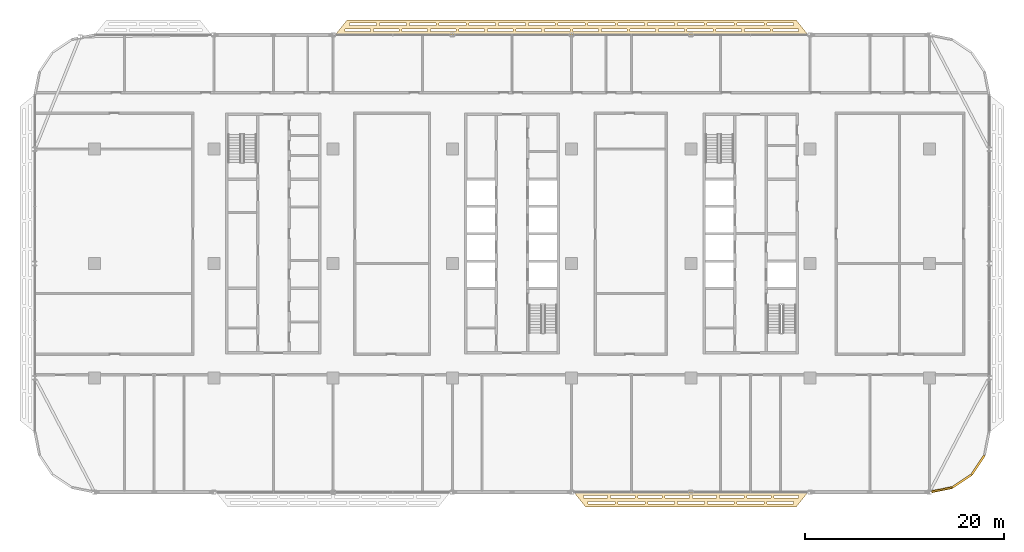
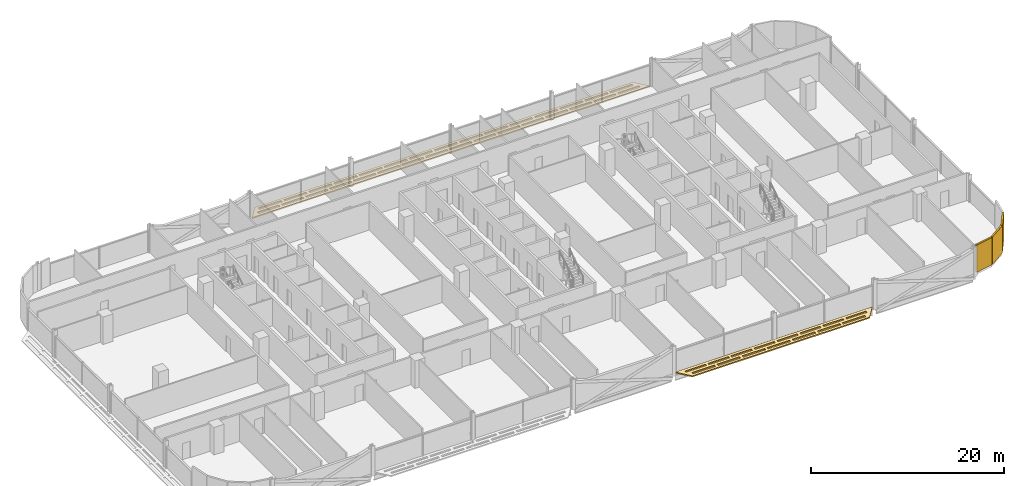
# One storey, part 25 of 27: 5 coverings.
"""IFC4 building model written with IfcOpenShell, lengths in metres."""

from ifc_helpers import new_model, si_unit, direction, frame, origin, origin_2d, place, context, subcontext, project, spatial, polyline, rectangle, outline, extrude, material, layer, layer_set, type_object, element, save


model = new_model("IFC4")

# Units and contexts
model_context = context("Model", 3, precision=1e-05, world=origin(), true_north=direction((0.0, 1.0)))
body_context = subcontext(model_context, "Body", "Model", "MODEL_VIEW")
ifc_project = project(units=[si_unit("LENGTHUNIT", "METRE"), si_unit("AREAUNIT", "SQUARE_METRE"), si_unit("VOLUMEUNIT", "CUBIC_METRE"), si_unit("PLANEANGLEUNIT", "RADIAN"), si_unit("MASSUNIT", "GRAM", prefix="KILO")], contexts=[model_context])

# Site, building, storey
site_placement = place(None, origin())
site = spatial("IfcSite", under=ifc_project, at=site_placement, CompositionType="ELEMENT")
building_placement = place(site_placement, origin())
building = spatial("IfcBuilding", under=site, at=building_placement, Name="Mahtab Terrace Research Tower", CompositionType="ELEMENT")
storey_placement = place(building_placement, frame((0.0, 0.0, 182.0)))
storey = spatial("IfcBuildingStorey", under=building, at=storey_placement, Name="L43", CompositionType="ELEMENT", Elevation=182.0)

# Coverings
ifc_material_1 = material(Name="Black aluminium cladding panel", Category="aluminium")
ifc_layer_1 = layer(ifc_material_1, 0.199951171875)
ifc_layer_set_1 = layer_set([ifc_layer_1], Name="Black metal corner cladding 200")
covering_type_1 = type_object("IfcCoveringType", Name="Black metal corner cladding 200", PredefinedType="CLADDING", material=ifc_layer_set_1)
covering_1_placement = place(storey_placement, frame((43.25830078125, -22.74951171875, 0.0), z_axis=(0.0, 0.0, 1.0), x_axis=(0.980760981187, 0.195212442692, 0.0)))
element("IfcCovering", 1, at=covering_1_placement, inside=storey, type_object=covering_type_1, Name="Corner cladding L43 30", PredefinedType="CLADDING", context=body_context, shape_type="SweptSolid", body=[
    extrude(rectangle(XDim=2.07666015625, YDim=0.199951171875, at=origin_2d()), origin(), (0.0, 0.0, 1.0), 3.4599609375),
])
for number, where, z_axis, x_axis, name in (
    (2, (45.26953125, -21.89306640625, 0.0), (0.0, 0.0, 1.0), (0.831655794326, 0.555291490808, 0.0), "Corner cladding L43 31"),
    (3, (46.89306640625, -20.26953125, 0.0), (0.0, 0.0, 1.0), (0.555291490808, 0.831655794326, 0.0), "Corner cladding L43 32"),
):
    element("IfcCovering", number, at=place(storey_placement, frame(where, z_axis=z_axis, x_axis=x_axis)), inside=storey, type_object=covering_type_1, Name=name, PredefinedType="CLADDING", context=body_context, shape_type="SweptSolid", body=[
        extrude(rectangle(XDim=2.30126953125, YDim=0.199951171875, at=origin_2d()), origin(), (0.0, 0.0, 1.0), 3.4599609375),
    ])
ifc_material_2 = material(Name="Black anodised aluminium", Category="aluminium")
ifc_layer_2 = layer(ifc_material_2, 0.14990234375)
ifc_layer_set_2 = layer_set([ifc_layer_2], Name="Horizontal sunshade band")
covering_type_2 = type_object("IfcCoveringType", Name="Horizontal sunshade band", PredefinedType="CLADDING", material=ifc_layer_set_2)
covering_2_placement = place(storey_placement, frame((0.0, 0.0, -0.14990234375)))
element("IfcCovering", 4, at=covering_2_placement, inside=storey, type_object=covering_type_2, Name="Sunshade band L43 4", PredefinedType="CLADDING", context=body_context, shape_type="SweptSolid", body=[
    extrude(outline(polyline([(29.7919921875, 23.0), (-17.7919921875, 23.0), (-16.592041015625, 24.5), (28.592041015625, 24.5), (29.7919921875, 23.0)]), holes=[polyline([(28.81201171875, 23.35009765625), (26.241943359375, 23.35009765625), (26.241943359375, 23.60009765625), (28.81201171875, 23.60009765625), (28.81201171875, 23.35009765625)]), polyline([(25.94189453125, 23.35009765625), (23.37109375, 23.35009765625), (23.37109375, 23.60009765625), (25.94189453125, 23.60009765625), (25.94189453125, 23.35009765625)]), polyline([(23.072021484375, 23.35009765625), (20.5009765625, 23.35009765625), (20.5009765625, 23.60009765625), (23.072021484375, 23.60009765625), (23.072021484375, 23.35009765625)]), polyline([(20.200927734375, 23.35009765625), (17.631103515625, 23.35009765625), (17.631103515625, 23.60009765625), (20.200927734375, 23.60009765625), (20.200927734375, 23.35009765625)]), polyline([(17.3310546875, 23.35009765625), (14.760986328125, 23.35009765625), (14.760986328125, 23.60009765625), (17.3310546875, 23.60009765625), (17.3310546875, 23.35009765625)]), polyline([(14.4609375, 23.35009765625), (11.889892578125, 23.35009765625), (11.889892578125, 23.60009765625), (14.4609375, 23.60009765625), (14.4609375, 23.35009765625)]), polyline([(11.590087890625, 23.35009765625), (9.02001953125, 23.35009765625), (9.02001953125, 23.60009765625), (11.590087890625, 23.60009765625), (11.590087890625, 23.35009765625)]), polyline([(8.719970703125, 23.35009765625), (6.14990234375, 23.35009765625), (6.14990234375, 23.60009765625), (8.719970703125, 23.60009765625), (8.719970703125, 23.35009765625)]), polyline([(5.85009765625, 23.35009765625), (3.280029296875, 23.35009765625), (3.280029296875, 23.60009765625), (5.85009765625, 23.60009765625), (5.85009765625, 23.35009765625)]), polyline([(2.97998046875, 23.35009765625), (0.408935546875, 23.35009765625), (0.408935546875, 23.60009765625), (2.97998046875, 23.60009765625), (2.97998046875, 23.35009765625)]), polyline([(0.10888671875, 23.35009765625), (-2.4609375, 23.35009765625), (-2.4609375, 23.60009765625), (0.10888671875, 23.60009765625), (0.10888671875, 23.35009765625)]), polyline([(-2.760986328125, 23.35009765625), (-5.3310546875, 23.35009765625), (-5.3310546875, 23.60009765625), (-2.760986328125, 23.60009765625), (-2.760986328125, 23.35009765625)]), polyline([(-5.631103515625, 23.35009765625), (-8.200927734375, 23.35009765625), (-8.200927734375, 23.60009765625), (-5.631103515625, 23.60009765625), (-5.631103515625, 23.35009765625)]), polyline([(-8.5009765625, 23.35009765625), (-11.072021484375, 23.35009765625), (-11.072021484375, 23.60009765625), (-8.5009765625, 23.60009765625), (-8.5009765625, 23.35009765625)]), polyline([(-11.3720703125, 23.35009765625), (-13.94189453125, 23.35009765625), (-13.94189453125, 23.60009765625), (-11.3720703125, 23.60009765625), (-11.3720703125, 23.35009765625)]), polyline([(-14.241943359375, 23.35009765625), (-16.81201171875, 23.35009765625), (-16.81201171875, 23.60009765625), (-14.241943359375, 23.60009765625), (-14.241943359375, 23.35009765625)]), polyline([(28.33203125, 23.949951171875), (25.634033203125, 23.949951171875), (25.634033203125, 24.199951171875), (28.33203125, 24.199951171875), (28.33203125, 23.949951171875)]), polyline([(25.333984375, 23.949951171875), (22.636962890625, 23.949951171875), (22.636962890625, 24.199951171875), (25.333984375, 24.199951171875), (25.333984375, 23.949951171875)]), polyline([(22.3369140625, 23.949951171875), (19.638916015625, 23.949951171875), (19.638916015625, 24.199951171875), (22.3369140625, 24.199951171875), (22.3369140625, 23.949951171875)]), polyline([(19.339111328125, 23.949951171875), (16.64208984375, 23.949951171875), (16.64208984375, 24.199951171875), (19.339111328125, 24.199951171875), (19.339111328125, 23.949951171875)]), polyline([(16.342041015625, 23.949951171875), (13.64404296875, 23.949951171875), (13.64404296875, 24.199951171875), (16.342041015625, 24.199951171875), (16.342041015625, 23.949951171875)]), polyline([(13.343994140625, 23.949951171875), (10.64599609375, 23.949951171875), (10.64599609375, 24.199951171875), (13.343994140625, 24.199951171875), (13.343994140625, 23.949951171875)]), polyline([(10.345947265625, 23.949951171875), (7.64892578125, 23.949951171875), (7.64892578125, 24.199951171875), (10.345947265625, 24.199951171875), (10.345947265625, 23.949951171875)]), polyline([(7.34912109375, 23.949951171875), (4.65087890625, 23.949951171875), (4.65087890625, 24.199951171875), (7.34912109375, 24.199951171875), (7.34912109375, 23.949951171875)]), polyline([(4.35107421875, 23.949951171875), (1.654052734375, 23.949951171875), (1.654052734375, 24.199951171875), (4.35107421875, 24.199951171875), (4.35107421875, 23.949951171875)]), polyline([(1.35400390625, 23.949951171875), (-1.343994140625, 23.949951171875), (-1.343994140625, 24.199951171875), (1.35400390625, 24.199951171875), (1.35400390625, 23.949951171875)]), polyline([(-1.64404296875, 23.949951171875), (-4.342041015625, 23.949951171875), (-4.342041015625, 24.199951171875), (-1.64404296875, 24.199951171875), (-1.64404296875, 23.949951171875)]), polyline([(-4.64208984375, 23.949951171875), (-7.339111328125, 23.949951171875), (-7.339111328125, 24.199951171875), (-4.64208984375, 24.199951171875), (-4.64208984375, 23.949951171875)]), polyline([(-7.638916015625, 23.949951171875), (-10.3369140625, 23.949951171875), (-10.3369140625, 24.199951171875), (-7.638916015625, 24.199951171875), (-7.638916015625, 23.949951171875)]), polyline([(-10.636962890625, 23.949951171875), (-13.333984375, 23.949951171875), (-13.333984375, 24.199951171875), (-10.636962890625, 24.199951171875), (-10.636962890625, 23.949951171875)]), polyline([(-13.634033203125, 23.949951171875), (-16.33203125, 23.949951171875), (-16.33203125, 24.199951171875), (-13.634033203125, 24.199951171875), (-13.634033203125, 23.949951171875)])]), origin(), (0.0, 0.0, 1.0), 0.14990234375),
])
covering_3_placement = place(storey_placement, frame((0.0, 0.0, -0.14990234375)))
element("IfcCovering", 5, at=covering_3_placement, inside=storey, type_object=covering_type_2, Name="Sunshade band L43 27", PredefinedType="CLADDING", context=body_context, shape_type="SweptSolid", body=[
    extrude(outline(polyline([(6.2080078125, -23.0), (29.7919921875, -23.0), (28.592041015625, -24.5), (7.407958984375, -24.5), (6.2080078125, -23.0)]), holes=[polyline([(7.18798828125, -23.35009765625), (9.6279296875, -23.35009765625), (9.6279296875, -23.60009765625), (7.18798828125, -23.60009765625), (7.18798828125, -23.35009765625)]), polyline([(9.927978515625, -23.35009765625), (12.368896484375, -23.35009765625), (12.368896484375, -23.60009765625), (9.927978515625, -23.60009765625), (9.927978515625, -23.35009765625)]), polyline([(12.6689453125, -23.35009765625), (15.10888671875, -23.35009765625), (15.10888671875, -23.60009765625), (12.6689453125, -23.60009765625), (12.6689453125, -23.35009765625)]), polyline([(15.408935546875, -23.35009765625), (17.85009765625, -23.35009765625), (17.85009765625, -23.60009765625), (15.408935546875, -23.60009765625), (15.408935546875, -23.35009765625)]), polyline([(18.14990234375, -23.35009765625), (20.590087890625, -23.35009765625), (20.590087890625, -23.60009765625), (18.14990234375, -23.60009765625), (18.14990234375, -23.35009765625)]), polyline([(20.889892578125, -23.35009765625), (23.3310546875, -23.35009765625), (23.3310546875, -23.60009765625), (20.889892578125, -23.60009765625), (20.889892578125, -23.35009765625)]), polyline([(23.631103515625, -23.35009765625), (26.072021484375, -23.35009765625), (26.072021484375, -23.60009765625), (23.631103515625, -23.60009765625), (23.631103515625, -23.35009765625)]), polyline([(26.37109375, -23.35009765625), (28.81201171875, -23.35009765625), (28.81201171875, -23.60009765625), (26.37109375, -23.60009765625), (26.37109375, -23.35009765625)]), polyline([(7.66796875, -23.949951171875), (10.363037109375, -23.949951171875), (10.363037109375, -24.199951171875), (7.66796875, -24.199951171875), (7.66796875, -23.949951171875)]), polyline([(10.6630859375, -23.949951171875), (13.35791015625, -23.949951171875), (13.35791015625, -24.199951171875), (10.6630859375, -24.199951171875), (10.6630859375, -23.949951171875)]), polyline([(13.657958984375, -23.949951171875), (16.35302734375, -23.949951171875), (16.35302734375, -24.199951171875), (13.657958984375, -24.199951171875), (13.657958984375, -23.949951171875)]), polyline([(16.653076171875, -23.949951171875), (19.346923828125, -23.949951171875), (19.346923828125, -24.199951171875), (16.653076171875, -24.199951171875), (16.653076171875, -23.949951171875)]), polyline([(19.64697265625, -23.949951171875), (22.342041015625, -23.949951171875), (22.342041015625, -24.199951171875), (19.64697265625, -24.199951171875), (19.64697265625, -23.949951171875)]), polyline([(22.64208984375, -23.949951171875), (25.3369140625, -23.949951171875), (25.3369140625, -24.199951171875), (22.64208984375, -24.199951171875), (22.64208984375, -23.949951171875)]), polyline([(25.636962890625, -23.949951171875), (28.33203125, -23.949951171875), (28.33203125, -24.199951171875), (25.636962890625, -24.199951171875), (25.636962890625, -23.949951171875)])]), origin(), (0.0, 0.0, 1.0), 0.14990234375),
])

save(model, "model.ifc")
